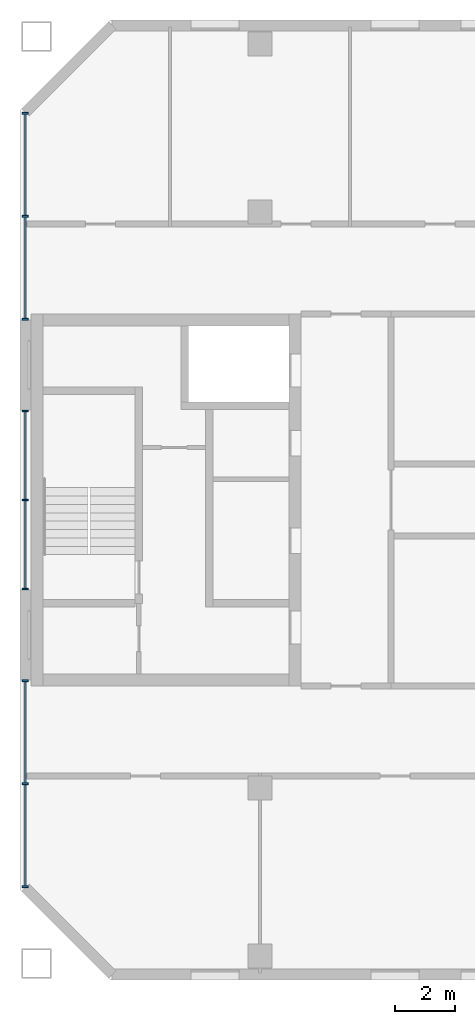
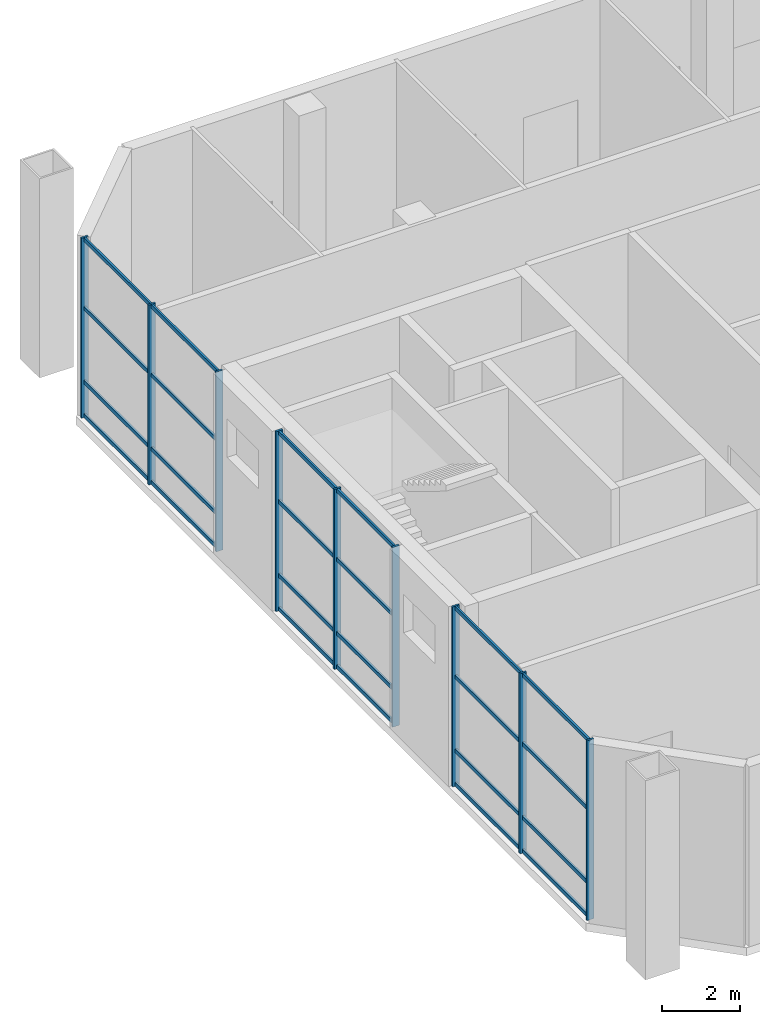
# One storey, part 4 of 20: 33 members, 3 elements without a shape of their own.
"""IFC4 building model written with IfcOpenShell, lengths in metres."""

from ifc_helpers import new_model, si_unit, direction, frame, origin, origin_2d, place, context, subcontext, project, spatial, rectangle, extrude, material, material_profile, profile_set, type_object, element, aggregate, save


model = new_model("IFC4")

# Units and contexts
model_context = context("Model", 3, precision=1e-05, world=origin(), true_north=direction((0.0, 1.0)))
body_context = subcontext(model_context, "Body", "Model", "MODEL_VIEW")
ifc_project = project(units=[si_unit("LENGTHUNIT", "METRE"), si_unit("AREAUNIT", "SQUARE_METRE"), si_unit("VOLUMEUNIT", "CUBIC_METRE"), si_unit("PLANEANGLEUNIT", "RADIAN"), si_unit("MASSUNIT", "GRAM", prefix="KILO")], contexts=[model_context])

# Site, building, storey
site_placement = place(None, origin())
site = spatial("IfcSite", under=ifc_project, at=site_placement, CompositionType="ELEMENT")
building_placement = place(site_placement, origin())
building = spatial("IfcBuilding", under=site, at=building_placement, Name="Tuart Gate Housing", CompositionType="ELEMENT")
storey_placement = place(building_placement, frame((0.0, 0.0, 215.199951171875)))
storey = spatial("IfcBuildingStorey", under=building, at=storey_placement, Name="L61", CompositionType="ELEMENT", Elevation=215.199951171875)

# Curtain wall, members
ifc_material_1 = material(Name="Aluminium and clear glass", Category="aluminium")
curtain_wall_type = type_object("IfcCurtainWallType", Name="Sky garden front glazing", PredefinedType="USERDEFINED", material=ifc_material_1)
curtain_wall_1_placement = place(storey_placement, origin())
curtain_wall_1 = element("IfcCurtainWall", 1, at=curtain_wall_1_placement, inside=storey, type_object=curtain_wall_type, Name="Sky garden front glazing BLK-W L61", ObjectType="SKY GARDEN FRONT GLAZING", PredefinedType="USERDEFINED")
ifc_material_2 = material(Name="Anodised aluminium", Category="aluminium")
ifc_material_profile_1 = material_profile(ifc_material_2, rectangle(XDim=0.06005859375, YDim=0.199951171875, at=origin_2d()), Name="60x200")
ifc_profile_set_1 = profile_set([ifc_material_profile_1], Name="Anodised aluminium")
member_type_1 = type_object("IfcMemberType", Name="Mullion 60 x 200", PredefinedType="MULLION", material=ifc_profile_set_1)
member_1_placement = place(storey_placement, frame((32.179931640625, 82.8955078125, 0.0), z_axis=(0.0, 0.0, 1.0), x_axis=(0.0, -1.0, 0.0)))
member_1 = element("IfcMember", 2, at=member_1_placement, type_object=member_type_1, Name="CW4 mullion 1", PredefinedType="MULLION", context=body_context, shape_type="SweptSolid", body=[
    extrude(rectangle(XDim=0.06005859375, YDim=0.199951171875, at=origin_2d()), origin(), (0.0, 0.0, 1.0), 5.60009765625),
])
member_2_placement = place(storey_placement, frame((32.179931640625, 79.462646484375, 0.0), z_axis=(0.0, 0.0, 1.0), x_axis=(0.0, -1.0, 0.0)))
member_2 = element("IfcMember", 3, at=member_2_placement, type_object=member_type_1, Name="CW4 mullion 2", PredefinedType="MULLION", context=body_context, shape_type="SweptSolid", body=[
    extrude(rectangle(XDim=0.06005859375, YDim=0.199951171875, at=origin_2d()), origin(), (0.0, 0.0, 1.0), 5.60009765625),
])
member_3_placement = place(storey_placement, frame((32.179931640625, 76.030029296875, 0.0), z_axis=(0.0, 0.0, 1.0), x_axis=(0.0, -1.0, 0.0)))
member_3 = element("IfcMember", 4, at=member_3_placement, type_object=member_type_1, Name="CW4 mullion 3", PredefinedType="MULLION", context=body_context, shape_type="SweptSolid", body=[
    extrude(rectangle(XDim=0.06005859375, YDim=0.199951171875, at=origin_2d()), origin(), (0.0, 0.0, 1.0), 5.60009765625),
])

curtain_wall_2_placement = place(storey_placement, origin())
curtain_wall_2 = element("IfcCurtainWall", 5, at=curtain_wall_2_placement, inside=storey, type_object=curtain_wall_type, Name="Sky garden front glazing BLK-W L61", ObjectType="SKY GARDEN FRONT GLAZING", PredefinedType="USERDEFINED")
member_4_placement = place(storey_placement, frame((32.179931640625, 72.969970703125, 0.0), z_axis=(0.0, 0.0, 1.0), x_axis=(0.0, -1.0, 0.0)))
member_4 = element("IfcMember", 6, at=member_4_placement, type_object=member_type_1, Name="CW4 mullion 1", PredefinedType="MULLION", context=body_context, shape_type="SweptSolid", body=[
    extrude(rectangle(XDim=0.06005859375, YDim=0.199951171875, at=origin_2d()), origin(), (0.0, 0.0, 1.0), 5.60009765625),
])
member_5_placement = place(storey_placement, frame((32.179931640625, 70.0, 0.0), z_axis=(0.0, 0.0, 1.0), x_axis=(0.0, -1.0, 0.0)))
member_5 = element("IfcMember", 7, at=member_5_placement, type_object=member_type_1, Name="CW4 mullion 2", PredefinedType="MULLION", context=body_context, shape_type="SweptSolid", body=[
    extrude(rectangle(XDim=0.06005859375, YDim=0.199951171875, at=origin_2d()), origin(), (0.0, 0.0, 1.0), 5.60009765625),
])
member_6_placement = place(storey_placement, frame((32.179931640625, 67.030029296875, 0.0), z_axis=(0.0, 0.0, 1.0), x_axis=(0.0, -1.0, 0.0)))
member_6 = element("IfcMember", 8, at=member_6_placement, type_object=member_type_1, Name="CW4 mullion 3", PredefinedType="MULLION", context=body_context, shape_type="SweptSolid", body=[
    extrude(rectangle(XDim=0.06005859375, YDim=0.199951171875, at=origin_2d()), origin(), (0.0, 0.0, 1.0), 5.60009765625),
])

curtain_wall_3_placement = place(storey_placement, origin())
curtain_wall_3 = element("IfcCurtainWall", 9, at=curtain_wall_3_placement, inside=storey, type_object=curtain_wall_type, Name="Sky garden front glazing BLK-W L61", ObjectType="SKY GARDEN FRONT GLAZING", PredefinedType="USERDEFINED")
member_7_placement = place(storey_placement, frame((32.179931640625, 63.969970703125, 0.0), z_axis=(0.0, 0.0, 1.0), x_axis=(0.0, -1.0, 0.0)))
member_7 = element("IfcMember", 10, at=member_7_placement, type_object=member_type_1, Name="CW4 mullion 1", PredefinedType="MULLION", context=body_context, shape_type="SweptSolid", body=[
    extrude(rectangle(XDim=0.06005859375, YDim=0.199951171875, at=origin_2d()), origin(), (0.0, 0.0, 1.0), 5.60009765625),
])
member_8_placement = place(storey_placement, frame((32.179931640625, 60.537353515625, 0.0), z_axis=(0.0, 0.0, 1.0), x_axis=(0.0, -1.0, 0.0)))
member_8 = element("IfcMember", 11, at=member_8_placement, type_object=member_type_1, Name="CW4 mullion 2", PredefinedType="MULLION", context=body_context, shape_type="SweptSolid", body=[
    extrude(rectangle(XDim=0.06005859375, YDim=0.199951171875, at=origin_2d()), origin(), (0.0, 0.0, 1.0), 5.60009765625),
])
member_9_placement = place(storey_placement, frame((32.179931640625, 57.1044921875, 0.0), z_axis=(0.0, 0.0, 1.0), x_axis=(0.0, -1.0, 0.0)))
member_9 = element("IfcMember", 12, at=member_9_placement, type_object=member_type_1, Name="CW4 mullion 3", PredefinedType="MULLION", context=body_context, shape_type="SweptSolid", body=[
    extrude(rectangle(XDim=0.06005859375, YDim=0.199951171875, at=origin_2d()), origin(), (0.0, 0.0, 1.0), 5.60009765625),
])

# Member
ifc_material_3 = material(Name="Anodised aluminium", Category="aluminium")
ifc_material_profile_2 = material_profile(ifc_material_3, rectangle(XDim=0.06005859375, YDim=0.1201171875, at=origin_2d()), Name="60x120")
ifc_profile_set_2 = profile_set([ifc_material_profile_2], Name="Anodised aluminium")
member_type_2 = type_object("IfcMemberType", Name="Transom 60 x 120", PredefinedType="USERDEFINED", material=ifc_profile_set_2)
member_10_placement = place(storey_placement, frame((32.179931640625, 82.865478515625, 0.06005859375), z_axis=(0.0, -1.0, 0.0), x_axis=(1.0, 0.0, 0.0)))
member_10 = element("IfcMember", 13, at=member_10_placement, type_object=member_type_2, Name="CW4 transom 1.1", ObjectType="TRANSOM", PredefinedType="USERDEFINED", context=body_context, shape_type="SweptSolid", body=[
    extrude(rectangle(XDim=0.06005859375, YDim=0.1201171875, at=origin_2d()), origin(), (0.0, 0.0, 1.0), 3.372802734375),
])

member_11_placement = place(storey_placement, frame((32.179931640625, 82.865478515625, 1.10009765625), z_axis=(0.0, -1.0, 0.0), x_axis=(1.0, 0.0, 0.0)))
member_11 = element("IfcMember", 14, at=member_11_placement, type_object=member_type_2, Name="CW4 transom 1.2", ObjectType="TRANSOM", PredefinedType="USERDEFINED", context=body_context, shape_type="SweptSolid", body=[
    extrude(rectangle(XDim=0.06005859375, YDim=0.1201171875, at=origin_2d()), origin(), (0.0, 0.0, 1.0), 3.372802734375),
])

member_12_placement = place(storey_placement, frame((32.179931640625, 82.865478515625, 3.400146484375), z_axis=(0.0, -1.0, 0.0), x_axis=(1.0, 0.0, 0.0)))
member_12 = element("IfcMember", 15, at=member_12_placement, type_object=member_type_2, Name="CW4 transom 1.3", ObjectType="TRANSOM", PredefinedType="USERDEFINED", context=body_context, shape_type="SweptSolid", body=[
    extrude(rectangle(XDim=0.06005859375, YDim=0.1201171875, at=origin_2d()), origin(), (0.0, 0.0, 1.0), 3.372802734375),
])

member_13_placement = place(storey_placement, frame((32.179931640625, 82.865478515625, 5.5400390625), z_axis=(0.0, -1.0, 0.0), x_axis=(1.0, 0.0, 0.0)))
member_13 = element("IfcMember", 16, at=member_13_placement, type_object=member_type_2, Name="CW4 transom 1.4", ObjectType="TRANSOM", PredefinedType="USERDEFINED", context=body_context, shape_type="SweptSolid", body=[
    extrude(rectangle(XDim=0.06005859375, YDim=0.1201171875, at=origin_2d()), origin(), (0.0, 0.0, 1.0), 3.372802734375),
])

member_14_placement = place(storey_placement, frame((32.179931640625, 79.4326171875, 0.06005859375), z_axis=(0.0, -1.0, 0.0), x_axis=(1.0, 0.0, 0.0)))
member_14 = element("IfcMember", 17, at=member_14_placement, type_object=member_type_2, Name="CW4 transom 2.1", ObjectType="TRANSOM", PredefinedType="USERDEFINED", context=body_context, shape_type="SweptSolid", body=[
    extrude(rectangle(XDim=0.06005859375, YDim=0.1201171875, at=origin_2d()), origin(), (0.0, 0.0, 1.0), 3.37255859375),
])

member_15_placement = place(storey_placement, frame((32.179931640625, 79.4326171875, 1.10009765625), z_axis=(0.0, -1.0, 0.0), x_axis=(1.0, 0.0, 0.0)))
member_15 = element("IfcMember", 18, at=member_15_placement, type_object=member_type_2, Name="CW4 transom 2.2", ObjectType="TRANSOM", PredefinedType="USERDEFINED", context=body_context, shape_type="SweptSolid", body=[
    extrude(rectangle(XDim=0.06005859375, YDim=0.1201171875, at=origin_2d()), origin(), (0.0, 0.0, 1.0), 3.37255859375),
])

member_16_placement = place(storey_placement, frame((32.179931640625, 79.4326171875, 3.400146484375), z_axis=(0.0, -1.0, 0.0), x_axis=(1.0, 0.0, 0.0)))
member_16 = element("IfcMember", 19, at=member_16_placement, type_object=member_type_2, Name="CW4 transom 2.3", ObjectType="TRANSOM", PredefinedType="USERDEFINED", context=body_context, shape_type="SweptSolid", body=[
    extrude(rectangle(XDim=0.06005859375, YDim=0.1201171875, at=origin_2d()), origin(), (0.0, 0.0, 1.0), 3.37255859375),
])

member_17_placement = place(storey_placement, frame((32.179931640625, 79.4326171875, 5.5400390625), z_axis=(0.0, -1.0, 0.0), x_axis=(1.0, 0.0, 0.0)))
member_17 = element("IfcMember", 20, at=member_17_placement, type_object=member_type_2, Name="CW4 transom 2.4", ObjectType="TRANSOM", PredefinedType="USERDEFINED", context=body_context, shape_type="SweptSolid", body=[
    extrude(rectangle(XDim=0.06005859375, YDim=0.1201171875, at=origin_2d()), origin(), (0.0, 0.0, 1.0), 3.37255859375),
])

aggregate(curtain_wall_1, [member_1, member_2, member_3, member_10, member_11, member_12, member_13, member_14, member_15, member_16, member_17])

member_18_placement = place(storey_placement, frame((32.179931640625, 72.93994140625, 0.06005859375), z_axis=(0.0, -1.0, 0.0), x_axis=(1.0, 0.0, 0.0)))
member_18 = element("IfcMember", 21, at=member_18_placement, type_object=member_type_2, Name="CW4 transom 1.1", ObjectType="TRANSOM", PredefinedType="USERDEFINED", context=body_context, shape_type="SweptSolid", body=[
    extrude(rectangle(XDim=0.06005859375, YDim=0.1201171875, at=origin_2d()), origin(), (0.0, 0.0, 1.0), 2.909912109375),
])

member_19_placement = place(storey_placement, frame((32.179931640625, 72.93994140625, 1.10009765625), z_axis=(0.0, -1.0, 0.0), x_axis=(1.0, 0.0, 0.0)))
member_19 = element("IfcMember", 22, at=member_19_placement, type_object=member_type_2, Name="CW4 transom 1.2", ObjectType="TRANSOM", PredefinedType="USERDEFINED", context=body_context, shape_type="SweptSolid", body=[
    extrude(rectangle(XDim=0.06005859375, YDim=0.1201171875, at=origin_2d()), origin(), (0.0, 0.0, 1.0), 2.909912109375),
])

member_20_placement = place(storey_placement, frame((32.179931640625, 72.93994140625, 3.400146484375), z_axis=(0.0, -1.0, 0.0), x_axis=(1.0, 0.0, 0.0)))
member_20 = element("IfcMember", 23, at=member_20_placement, type_object=member_type_2, Name="CW4 transom 1.3", ObjectType="TRANSOM", PredefinedType="USERDEFINED", context=body_context, shape_type="SweptSolid", body=[
    extrude(rectangle(XDim=0.06005859375, YDim=0.1201171875, at=origin_2d()), origin(), (0.0, 0.0, 1.0), 2.909912109375),
])

member_21_placement = place(storey_placement, frame((32.179931640625, 72.93994140625, 5.5400390625), z_axis=(0.0, -1.0, 0.0), x_axis=(1.0, 0.0, 0.0)))
member_21 = element("IfcMember", 24, at=member_21_placement, type_object=member_type_2, Name="CW4 transom 1.4", ObjectType="TRANSOM", PredefinedType="USERDEFINED", context=body_context, shape_type="SweptSolid", body=[
    extrude(rectangle(XDim=0.06005859375, YDim=0.1201171875, at=origin_2d()), origin(), (0.0, 0.0, 1.0), 2.909912109375),
])

member_22_placement = place(storey_placement, frame((32.179931640625, 69.969970703125, 0.06005859375), z_axis=(0.0, -1.0, 0.0), x_axis=(1.0, 0.0, 0.0)))
member_22 = element("IfcMember", 25, at=member_22_placement, type_object=member_type_2, Name="CW4 transom 2.1", ObjectType="TRANSOM", PredefinedType="USERDEFINED", context=body_context, shape_type="SweptSolid", body=[
    extrude(rectangle(XDim=0.06005859375, YDim=0.1201171875, at=origin_2d()), origin(), (0.0, 0.0, 1.0), 2.909912109375),
])

member_23_placement = place(storey_placement, frame((32.179931640625, 69.969970703125, 1.10009765625), z_axis=(0.0, -1.0, 0.0), x_axis=(1.0, 0.0, 0.0)))
member_23 = element("IfcMember", 26, at=member_23_placement, type_object=member_type_2, Name="CW4 transom 2.2", ObjectType="TRANSOM", PredefinedType="USERDEFINED", context=body_context, shape_type="SweptSolid", body=[
    extrude(rectangle(XDim=0.06005859375, YDim=0.1201171875, at=origin_2d()), origin(), (0.0, 0.0, 1.0), 2.909912109375),
])

member_24_placement = place(storey_placement, frame((32.179931640625, 69.969970703125, 3.400146484375), z_axis=(0.0, -1.0, 0.0), x_axis=(1.0, 0.0, 0.0)))
member_24 = element("IfcMember", 27, at=member_24_placement, type_object=member_type_2, Name="CW4 transom 2.3", ObjectType="TRANSOM", PredefinedType="USERDEFINED", context=body_context, shape_type="SweptSolid", body=[
    extrude(rectangle(XDim=0.06005859375, YDim=0.1201171875, at=origin_2d()), origin(), (0.0, 0.0, 1.0), 2.909912109375),
])

member_25_placement = place(storey_placement, frame((32.179931640625, 69.969970703125, 5.5400390625), z_axis=(0.0, -1.0, 0.0), x_axis=(1.0, 0.0, 0.0)))
member_25 = element("IfcMember", 28, at=member_25_placement, type_object=member_type_2, Name="CW4 transom 2.4", ObjectType="TRANSOM", PredefinedType="USERDEFINED", context=body_context, shape_type="SweptSolid", body=[
    extrude(rectangle(XDim=0.06005859375, YDim=0.1201171875, at=origin_2d()), origin(), (0.0, 0.0, 1.0), 2.909912109375),
])

aggregate(curtain_wall_2, [member_4, member_5, member_6, member_18, member_19, member_20, member_21, member_22, member_23, member_24, member_25])

member_26_placement = place(storey_placement, frame((32.179931640625, 63.93994140625, 0.06005859375), z_axis=(0.0, -1.0, 0.0), x_axis=(1.0, 0.0, 0.0)))
member_26 = element("IfcMember", 29, at=member_26_placement, type_object=member_type_2, Name="CW4 transom 1.1", ObjectType="TRANSOM", PredefinedType="USERDEFINED", context=body_context, shape_type="SweptSolid", body=[
    extrude(rectangle(XDim=0.06005859375, YDim=0.1201171875, at=origin_2d()), origin(), (0.0, 0.0, 1.0), 3.372802734375),
])

member_27_placement = place(storey_placement, frame((32.179931640625, 63.93994140625, 1.10009765625), z_axis=(0.0, -1.0, 0.0), x_axis=(1.0, 0.0, 0.0)))
member_27 = element("IfcMember", 30, at=member_27_placement, type_object=member_type_2, Name="CW4 transom 1.2", ObjectType="TRANSOM", PredefinedType="USERDEFINED", context=body_context, shape_type="SweptSolid", body=[
    extrude(rectangle(XDim=0.06005859375, YDim=0.1201171875, at=origin_2d()), origin(), (0.0, 0.0, 1.0), 3.372802734375),
])

member_28_placement = place(storey_placement, frame((32.179931640625, 63.93994140625, 3.400146484375), z_axis=(0.0, -1.0, 0.0), x_axis=(1.0, 0.0, 0.0)))
member_28 = element("IfcMember", 31, at=member_28_placement, type_object=member_type_2, Name="CW4 transom 1.3", ObjectType="TRANSOM", PredefinedType="USERDEFINED", context=body_context, shape_type="SweptSolid", body=[
    extrude(rectangle(XDim=0.06005859375, YDim=0.1201171875, at=origin_2d()), origin(), (0.0, 0.0, 1.0), 3.372802734375),
])

member_29_placement = place(storey_placement, frame((32.179931640625, 63.93994140625, 5.5400390625), z_axis=(0.0, -1.0, 0.0), x_axis=(1.0, 0.0, 0.0)))
member_29 = element("IfcMember", 32, at=member_29_placement, type_object=member_type_2, Name="CW4 transom 1.4", ObjectType="TRANSOM", PredefinedType="USERDEFINED", context=body_context, shape_type="SweptSolid", body=[
    extrude(rectangle(XDim=0.06005859375, YDim=0.1201171875, at=origin_2d()), origin(), (0.0, 0.0, 1.0), 3.372802734375),
])

member_30_placement = place(storey_placement, frame((32.179931640625, 60.50732421875, 0.06005859375), z_axis=(0.0, -1.0, 0.0), x_axis=(1.0, 0.0, 0.0)))
member_30 = element("IfcMember", 33, at=member_30_placement, type_object=member_type_2, Name="CW4 transom 2.1", ObjectType="TRANSOM", PredefinedType="USERDEFINED", context=body_context, shape_type="SweptSolid", body=[
    extrude(rectangle(XDim=0.06005859375, YDim=0.1201171875, at=origin_2d()), origin(), (0.0, 0.0, 1.0), 3.372802734375),
])

member_31_placement = place(storey_placement, frame((32.179931640625, 60.50732421875, 1.10009765625), z_axis=(0.0, -1.0, 0.0), x_axis=(1.0, 0.0, 0.0)))
member_31 = element("IfcMember", 34, at=member_31_placement, type_object=member_type_2, Name="CW4 transom 2.2", ObjectType="TRANSOM", PredefinedType="USERDEFINED", context=body_context, shape_type="SweptSolid", body=[
    extrude(rectangle(XDim=0.06005859375, YDim=0.1201171875, at=origin_2d()), origin(), (0.0, 0.0, 1.0), 3.372802734375),
])

member_32_placement = place(storey_placement, frame((32.179931640625, 60.50732421875, 3.400146484375), z_axis=(0.0, -1.0, 0.0), x_axis=(1.0, 0.0, 0.0)))
member_32 = element("IfcMember", 35, at=member_32_placement, type_object=member_type_2, Name="CW4 transom 2.3", ObjectType="TRANSOM", PredefinedType="USERDEFINED", context=body_context, shape_type="SweptSolid", body=[
    extrude(rectangle(XDim=0.06005859375, YDim=0.1201171875, at=origin_2d()), origin(), (0.0, 0.0, 1.0), 3.372802734375),
])

member_33_placement = place(storey_placement, frame((32.179931640625, 60.50732421875, 5.5400390625), z_axis=(0.0, -1.0, 0.0), x_axis=(1.0, 0.0, 0.0)))
member_33 = element("IfcMember", 36, at=member_33_placement, type_object=member_type_2, Name="CW4 transom 2.4", ObjectType="TRANSOM", PredefinedType="USERDEFINED", context=body_context, shape_type="SweptSolid", body=[
    extrude(rectangle(XDim=0.06005859375, YDim=0.1201171875, at=origin_2d()), origin(), (0.0, 0.0, 1.0), 3.372802734375),
])

aggregate(curtain_wall_3, [member_7, member_8, member_9, member_26, member_27, member_28, member_29, member_30, member_31, member_32, member_33])

save(model, "model.ifc")
